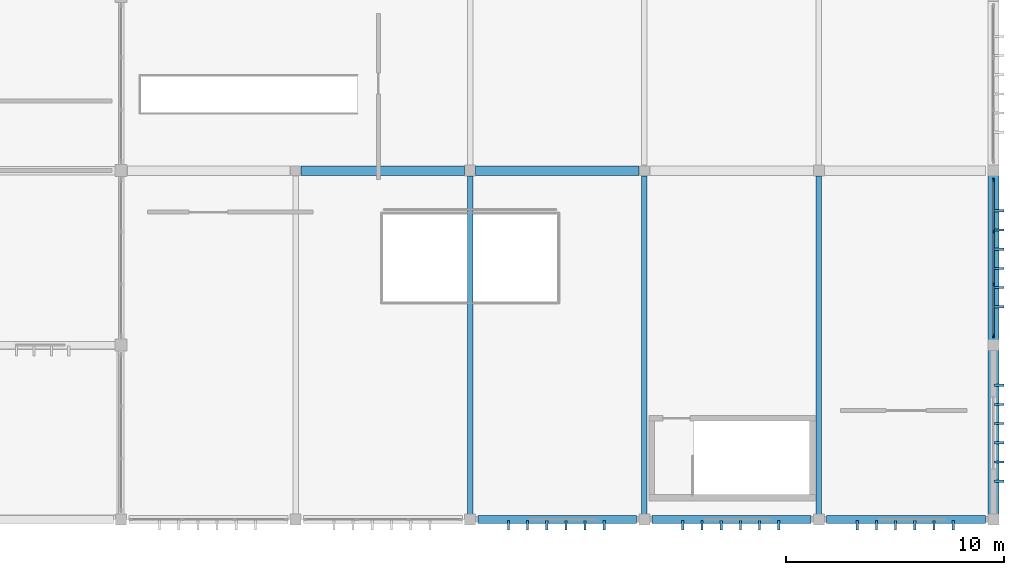
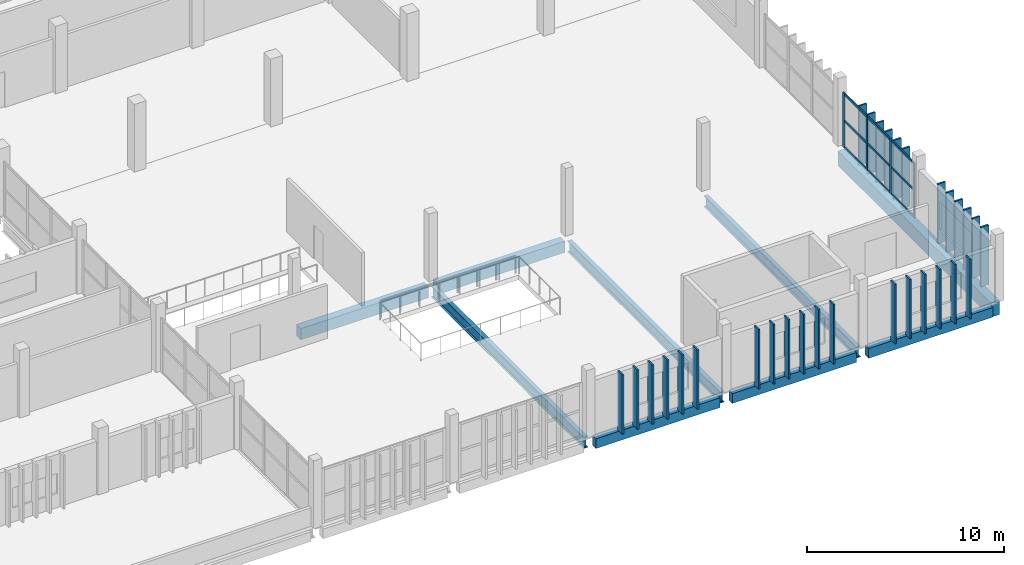
# One storey, part 56 of 137: 43 members, 9 beams, 1 element without a shape of its own.
"""IFC4 building model written with IfcOpenShell, lengths in metres."""

from ifc_helpers import new_model, si_unit, direction, frame, origin, origin_2d, place, context, subcontext, project, spatial, rectangle, i_section, extrude, material, layer, layer_set, material_profile, profile_set, type_object, element, aggregate, save


model = new_model("IFC4")

# Units and contexts
model_context = context("Model", 3, precision=1e-05, world=origin(), true_north=direction((0.0, 1.0)))
body_context = subcontext(model_context, "Body", "Model", "MODEL_VIEW")
ifc_project = project(units=[si_unit("LENGTHUNIT", "METRE"), si_unit("AREAUNIT", "SQUARE_METRE"), si_unit("VOLUMEUNIT", "CUBIC_METRE"), si_unit("PLANEANGLEUNIT", "RADIAN"), si_unit("MASSUNIT", "GRAM", prefix="KILO")], contexts=[model_context])

# Site, building, storey
site_placement = place(None, origin())
site = spatial("IfcSite", under=ifc_project, at=site_placement, CompositionType="ELEMENT")
building_placement = place(site_placement, origin())
building = spatial("IfcBuilding", under=site, at=building_placement, Name="Jelvoka-Kovrelna Polytechnic", CompositionType="ELEMENT")
storey_placement = place(building_placement, frame((0.0, 0.0, 9.60009765625)))
storey = spatial("IfcBuildingStorey", under=building, at=storey_placement, Name="L03", CompositionType="ELEMENT", Elevation=9.60009765625)

# Beams
ifc_material_1 = material(Name="Concrete C40/50", Category="concrete")
ifc_material_profile_1 = material_profile(ifc_material_1, rectangle(XDim=0.449951171875, YDim=0.699951171875, at=origin_2d()), Name="RC 450x700")
ifc_profile_set_1 = profile_set([ifc_material_profile_1], Name="Concrete C40/50")
beam_type_1 = type_object("IfcBeamType", Name="Beam_RC_450x700", PredefinedType="BEAM", material=ifc_profile_set_1)
for number, where, z_axis, x_axis, name in (
    (1, (168.2548828125, 16.0, -0.635009765625), (1.0, 0.0, 0.0), (0.0, 1.0, 0.0), "L03 beam 0222"),
    (2, (176.2548828125, 16.0, -0.635009765625), (1.0, 0.0, 0.0), (0.0, 1.0, 0.0), "L03 beam 0225"),
):
    element("IfcBeam", number, at=place(storey_placement, frame(where, z_axis=z_axis, x_axis=x_axis)), inside=storey, type_object=beam_type_1, Name=name, PredefinedType="BEAM", context=body_context, shape_type="SweptSolid", body=[
        extrude(rectangle(XDim=0.449951171875, YDim=0.699951171875, at=origin_2d()), origin(), (0.0, 0.0, 1.0), 7.490234375),
    ])
ifc_material_2 = material(Name="Concrete C40/50", Category="concrete")
ifc_material_profile_2 = material_profile(ifc_material_2, rectangle(XDim=0.5, YDim=0.89990234375, at=origin_2d()), Name="RC 500x900")
ifc_profile_set_2 = profile_set([ifc_material_profile_2], Name="Concrete C40/50")
beam_type_2 = type_object("IfcBeamType", Name="Beam_RC_500x900", PredefinedType="BEAM", material=ifc_profile_set_2)
beam_placement = place(storey_placement, frame((200.0, 0.22998046875, -0.735107421875), z_axis=(0.0, 1.0, 0.0), x_axis=(-1.0, 0.0, 0.0)))
element("IfcBeam", 3, at=beam_placement, inside=storey, type_object=beam_type_2, Name="L03 beam 0216", PredefinedType="BEAM", context=body_context, shape_type="SweptSolid", body=[
    extrude(rectangle(XDim=0.5, YDim=0.89990234375, at=origin_2d()), origin(), (0.0, 0.0, 1.0), 15.5400390625),
])
ifc_material_3 = material(Name="Structural steel S355JR", Category="steel")
ifc_material_profile_3 = material_profile(ifc_material_3, i_section(OverallWidth=0.2529296875, OverallDepth=0.677978515625, WebThickness=0.01171875, FlangeThickness=0.01611328125, FilletRadius=0.01513671875, at=origin_2d()), Name="686x254x125 UB")
ifc_profile_set_3 = profile_set([ifc_material_profile_3], Name="Structural steel S355JR")
beam_type_3 = type_object("IfcBeamType", Name="Girder_Steel_UB686", PredefinedType="BEAM", material=ifc_profile_set_3)
for number, where, z_axis, x_axis, name in (
    (4, (176.0, 0.22998046875, -0.6240234375), (0.0, 1.0, 0.0), (-1.0, 0.0, 0.0), "L03 beam 0210"),
    (5, (184.0, 0.22998046875, -0.6240234375), (0.0, 1.0, 0.0), (-1.0, 0.0, 0.0), "L03 beam 0212"),
    (6, (192.0, 0.22998046875, -0.6240234375), (0.0, 1.0, 0.0), (-1.0, 0.0, 0.0), "L03 beam 0214"),
):
    element("IfcBeam", number, at=place(storey_placement, frame(where, z_axis=z_axis, x_axis=x_axis)), inside=storey, type_object=beam_type_3, Name=name, PredefinedType="BEAM", context=body_context, shape_type="SweptSolid", body=[
        extrude(i_section(OverallWidth=0.2529296875, OverallDepth=0.677978515625, WebThickness=0.01171875, FlangeThickness=0.01611328125, FilletRadius=0.01513671875, at=origin_2d()), origin(), (0.0, 0.0, 1.0), 15.51513671875),
    ])

# Members
ifc_material_4 = material(Name="Precast concrete C40/50", Category="concrete")
ifc_material_profile_4 = material_profile(ifc_material_4, rectangle(XDim=0.10009765625, YDim=0.449951171875, at=origin_2d()), Name="PC 100x450")
ifc_profile_set_4 = profile_set([ifc_material_profile_4], Name="Precast concrete C40/50")
member_type_1 = type_object("IfcMemberType", Name="Louvre_Fin_100x450", PredefinedType="USERDEFINED", material=ifc_profile_set_4)
for number, where, z_axis, x_axis, name in (
    (7, (177.760009765625, -0.264892578125, -0.2900390625), (0.0, 0.0, 1.0), (1.0, 0.0, 0.0), "L03 V5 south solar louvre fin 2578"),
    (8, (178.639892578125, -0.264892578125, -0.2900390625), (0.0, 0.0, 1.0), (1.0, 0.0, 0.0), "L03 V5 south solar louvre fin 2579"),
    (9, (179.52001953125, -0.264892578125, -0.2900390625), (0.0, 0.0, 1.0), (1.0, 0.0, 0.0), "L03 V5 south solar louvre fin 2580"),
    (10, (180.39990234375, -0.264892578125, -0.2900390625), (0.0, 0.0, 1.0), (1.0, 0.0, 0.0), "L03 V5 south solar louvre fin 2581"),
    (11, (181.280029296875, -0.264892578125, -0.2900390625), (0.0, 0.0, 1.0), (1.0, 0.0, 0.0), "L03 V5 south solar louvre fin 2582"),
    (12, (182.159912109375, -0.264892578125, -0.2900390625), (0.0, 0.0, 1.0), (1.0, 0.0, 0.0), "L03 V5 south solar louvre fin 2583"),
    (13, (185.760009765625, -0.264892578125, -0.2900390625), (0.0, 0.0, 1.0), (1.0, 0.0, 0.0), "L03 V5 south solar louvre fin 2584"),
    (14, (186.639892578125, -0.264892578125, -0.2900390625), (0.0, 0.0, 1.0), (1.0, 0.0, 0.0), "L03 V5 south solar louvre fin 2585"),
    (15, (187.52001953125, -0.264892578125, -0.2900390625), (0.0, 0.0, 1.0), (1.0, 0.0, 0.0), "L03 V5 south solar louvre fin 2586"),
    (16, (188.39990234375, -0.264892578125, -0.2900390625), (0.0, 0.0, 1.0), (1.0, 0.0, 0.0), "L03 V5 south solar louvre fin 2587"),
    (17, (189.280029296875, -0.264892578125, -0.2900390625), (0.0, 0.0, 1.0), (1.0, 0.0, 0.0), "L03 V5 south solar louvre fin 2588"),
    (18, (190.159912109375, -0.264892578125, -0.2900390625), (0.0, 0.0, 1.0), (1.0, 0.0, 0.0), "L03 V5 south solar louvre fin 2589"),
    (19, (193.760009765625, -0.264892578125, -0.2900390625), (0.0, 0.0, 1.0), (1.0, 0.0, 0.0), "L03 V5 south solar louvre fin 2590"),
    (20, (194.639892578125, -0.264892578125, -0.2900390625), (0.0, 0.0, 1.0), (1.0, 0.0, 0.0), "L03 V5 south solar louvre fin 2591"),
    (21, (195.52001953125, -0.264892578125, -0.2900390625), (0.0, 0.0, 1.0), (1.0, 0.0, 0.0), "L03 V5 south solar louvre fin 2592"),
    (22, (196.39990234375, -0.264892578125, -0.2900390625), (0.0, 0.0, 1.0), (1.0, 0.0, 0.0), "L03 V5 south solar louvre fin 2593"),
    (23, (197.280029296875, -0.264892578125, -0.2900390625), (0.0, 0.0, 1.0), (1.0, 0.0, 0.0), "L03 V5 south solar louvre fin 2594"),
    (24, (198.159912109375, -0.264892578125, -0.2900390625), (0.0, 0.0, 1.0), (1.0, 0.0, 0.0), "L03 V5 south solar louvre fin 2595"),
    (25, (200.264892578125, 1.760009765625, -0.2900390625), (0.0, 0.0, 1.0), (0.0, 1.0, 0.0), "L03 V5 east solar louvre fin 2596"),
    (26, (200.264892578125, 2.639892578125, -0.2900390625), (0.0, 0.0, 1.0), (0.0, 1.0, 0.0), "L03 V5 east solar louvre fin 2597"),
    (27, (200.264892578125, 3.52001953125, -0.2900390625), (0.0, 0.0, 1.0), (0.0, 1.0, 0.0), "L03 V5 east solar louvre fin 2598"),
    (28, (200.264892578125, 4.39990234375, -0.2900390625), (0.0, 0.0, 1.0), (0.0, 1.0, 0.0), "L03 V5 east solar louvre fin 2599"),
    (29, (200.264892578125, 5.280029296875, -0.2900390625), (0.0, 0.0, 1.0), (0.0, 1.0, 0.0), "L03 V5 east solar louvre fin 2600"),
    (30, (200.264892578125, 6.159912109375, -0.2900390625), (0.0, 0.0, 1.0), (0.0, 1.0, 0.0), "L03 V5 east solar louvre fin 2601"),
    (31, (200.264892578125, 9.760009765625, -0.2900390625), (0.0, 0.0, 1.0), (0.0, 1.0, 0.0), "L03 V5 east solar louvre fin 2602"),
    (32, (200.264892578125, 10.639892578125, -0.2900390625), (0.0, 0.0, 1.0), (0.0, 1.0, 0.0), "L03 V5 east solar louvre fin 2603"),
    (33, (200.264892578125, 11.52001953125, -0.2900390625), (0.0, 0.0, 1.0), (0.0, 1.0, 0.0), "L03 V5 east solar louvre fin 2604"),
    (34, (200.264892578125, 12.39990234375, -0.2900390625), (0.0, 0.0, 1.0), (0.0, 1.0, 0.0), "L03 V5 east solar louvre fin 2605"),
    (35, (200.264892578125, 13.280029296875, -0.2900390625), (0.0, 0.0, 1.0), (0.0, 1.0, 0.0), "L03 V5 east solar louvre fin 2606"),
    (36, (200.264892578125, 14.159912109375, -0.2900390625), (0.0, 0.0, 1.0), (0.0, 1.0, 0.0), "L03 V5 east solar louvre fin 2607"),
):
    element("IfcMember", number, at=place(storey_placement, frame(where, z_axis=z_axis, x_axis=x_axis)), inside=storey, type_object=member_type_1, Name=name, ObjectType="SUNSHADE", PredefinedType="USERDEFINED", context=body_context, shape_type="SweptSolid", body=[
        extrude(rectangle(XDim=0.10009765625, YDim=0.449951171875, at=origin_2d()), origin(), (0.0, 0.0, 1.0), 3.68994140625),
    ])

# Curtain wall, members
ifc_material_5 = material(Name="Anodised aluminium 6063-T6", Category="aluminium")
ifc_layer = layer(ifc_material_5, 0.179931640625)
ifc_layer_set = layer_set([ifc_layer], Name="Anodised aluminium 6063-T6")
curtain_wall_type = type_object("IfcCurtainWallType", Name="CW_Pavilion", PredefinedType="NOTDEFINED", material=ifc_layer_set)
curtain_wall_placement = place(storey_placement, origin())
curtain_wall = element("IfcCurtainWall", 37, at=curtain_wall_placement, inside=storey, type_object=curtain_wall_type, Name="L03 glazed curtain wall 292", PredefinedType="NOTDEFINED")
ifc_material_6 = material(Name="Anodised aluminium 6063-T6", Category="aluminium")
ifc_material_profile_5 = material_profile(ifc_material_6, rectangle(XDim=0.06494140625, YDim=0.179931640625, at=origin_2d()), Name="ALU 65x180")
ifc_profile_set_5 = profile_set([ifc_material_profile_5], Name="Anodised aluminium 6063-T6")
member_type_2 = type_object("IfcMemberType", Name="Mullion_M-05", PredefinedType="MULLION", material=ifc_profile_set_5)
member_1_placement = place(storey_placement, frame((200.0, 15.5673828125, -0.02490234375), z_axis=(0.0, 0.0, 1.0), x_axis=(1.0, 0.0, 0.0)))
member_1 = element("IfcMember", 38, at=member_1_placement, type_object=member_type_2, Name="CW-05 mullion 1", PredefinedType="MULLION", context=body_context, shape_type="SweptSolid", body=[
    extrude(rectangle(XDim=0.06494140625, YDim=0.179931640625, at=origin_2d()), origin(), (0.0, 0.0, 1.0), 3.39990234375),
])
member_2_placement = place(storey_placement, frame((200.0, 13.199951171875, -0.02490234375), z_axis=(0.0, 0.0, 1.0), x_axis=(1.0, 0.0, 0.0)))
member_2 = element("IfcMember", 39, at=member_2_placement, type_object=member_type_2, Name="CW-05 mullion 2", PredefinedType="MULLION", context=body_context, shape_type="SweptSolid", body=[
    extrude(rectangle(XDim=0.06494140625, YDim=0.179931640625, at=origin_2d()), origin(), (0.0, 0.0, 1.0), 3.39990234375),
])
member_3_placement = place(storey_placement, frame((200.0, 10.800048828125, -0.02490234375), z_axis=(0.0, 0.0, 1.0), x_axis=(1.0, 0.0, 0.0)))
member_3 = element("IfcMember", 40, at=member_3_placement, type_object=member_type_2, Name="CW-05 mullion 3", PredefinedType="MULLION", context=body_context, shape_type="SweptSolid", body=[
    extrude(rectangle(XDim=0.06494140625, YDim=0.179931640625, at=origin_2d()), origin(), (0.0, 0.0, 1.0), 3.39990234375),
])
member_4_placement = place(storey_placement, frame((200.0, 8.4326171875, -0.02490234375), z_axis=(0.0, 0.0, 1.0), x_axis=(1.0, 0.0, 0.0)))
member_4 = element("IfcMember", 41, at=member_4_placement, type_object=member_type_2, Name="CW-05 mullion 4", PredefinedType="MULLION", context=body_context, shape_type="SweptSolid", body=[
    extrude(rectangle(XDim=0.06494140625, YDim=0.179931640625, at=origin_2d()), origin(), (0.0, 0.0, 1.0), 3.39990234375),
])

# Beams
ifc_material_7 = material(Name="Concrete C40/50", Category="concrete")
ifc_material_profile_6 = material_profile(ifc_material_7, rectangle(XDim=0.35009765625, YDim=0.60009765625, at=origin_2d()), Name="RC 350x600")
ifc_profile_set_6 = profile_set([ifc_material_profile_6], Name="Concrete C40/50")
beam_type_4 = type_object("IfcBeamType", Name="Spandrel_RC_350x600", PredefinedType="SPANDREL", material=ifc_profile_set_6)
for number, where, z_axis, x_axis, name in (
    (42, (176.35498046875, 0.0, -0.585205078125), (1.0, 0.0, 0.0), (0.0, 1.0, 0.0), "L03 beam 0224"),
    (43, (184.35498046875, 0.0, -0.585205078125), (1.0, 0.0, 0.0), (0.0, 1.0, 0.0), "L03 beam 0227"),
    (44, (192.35498046875, 0.0, -0.585205078125), (1.0, 0.0, 0.0), (0.0, 1.0, 0.0), "L03 beam 0230"),
):
    element("IfcBeam", number, at=place(storey_placement, frame(where, z_axis=z_axis, x_axis=x_axis)), inside=storey, type_object=beam_type_4, Name=name, PredefinedType="SPANDREL", context=body_context, shape_type="SweptSolid", body=[
        extrude(rectangle(XDim=0.35009765625, YDim=0.60009765625, at=origin_2d()), origin(), (0.0, 0.0, 1.0), 7.2900390625),
    ])

# Member
ifc_material_8 = material(Name="Anodised aluminium 6063-T6", Category="aluminium")
ifc_material_profile_7 = material_profile(ifc_material_8, rectangle(XDim=0.06494140625, YDim=0.135009765625, at=origin_2d()), Name="ALU 65x135")
ifc_profile_set_7 = profile_set([ifc_material_profile_7], Name="Anodised aluminium 6063-T6")
member_type_3 = type_object("IfcMemberType", Name="Transom_T-05", PredefinedType="USERDEFINED", material=ifc_profile_set_7)
member_5_placement = place(storey_placement, frame((200.0, 15.534912109375, 0.032470703125), z_axis=(0.0, -1.0, 0.0), x_axis=(1.0, 0.0, 0.0)))
member_5 = element("IfcMember", 45, at=member_5_placement, type_object=member_type_3, Name="CW-05 transom 1.1", ObjectType="TRANSOM", PredefinedType="USERDEFINED", context=body_context, shape_type="SweptSolid", body=[
    extrude(rectangle(XDim=0.06494140625, YDim=0.135009765625, at=origin_2d()), origin(), (0.0, 0.0, 1.0), 2.302490234375),
])

member_6_placement = place(storey_placement, frame((200.0, 15.534912109375, 1.6748046875), z_axis=(0.0, -1.0, 0.0), x_axis=(1.0, 0.0, 0.0)))
member_6 = element("IfcMember", 46, at=member_6_placement, type_object=member_type_3, Name="CW-05 transom 1.2", ObjectType="TRANSOM", PredefinedType="USERDEFINED", context=body_context, shape_type="SweptSolid", body=[
    extrude(rectangle(XDim=0.06494140625, YDim=0.135009765625, at=origin_2d()), origin(), (0.0, 0.0, 1.0), 2.302490234375),
])

member_7_placement = place(storey_placement, frame((200.0, 15.534912109375, 3.3173828125), z_axis=(0.0, -1.0, 0.0), x_axis=(1.0, 0.0, 0.0)))
member_7 = element("IfcMember", 47, at=member_7_placement, type_object=member_type_3, Name="CW-05 transom 1.3", ObjectType="TRANSOM", PredefinedType="USERDEFINED", context=body_context, shape_type="SweptSolid", body=[
    extrude(rectangle(XDim=0.06494140625, YDim=0.135009765625, at=origin_2d()), origin(), (0.0, 0.0, 1.0), 2.302490234375),
])

member_8_placement = place(storey_placement, frame((200.0, 13.16748046875, 0.032470703125), z_axis=(0.0, -1.0, 0.0), x_axis=(1.0, 0.0, 0.0)))
member_8 = element("IfcMember", 48, at=member_8_placement, type_object=member_type_3, Name="CW-05 transom 2.1", ObjectType="TRANSOM", PredefinedType="USERDEFINED", context=body_context, shape_type="SweptSolid", body=[
    extrude(rectangle(XDim=0.06494140625, YDim=0.135009765625, at=origin_2d()), origin(), (0.0, 0.0, 1.0), 2.3349609375),
])

member_9_placement = place(storey_placement, frame((200.0, 13.16748046875, 1.6748046875), z_axis=(0.0, -1.0, 0.0), x_axis=(1.0, 0.0, 0.0)))
member_9 = element("IfcMember", 49, at=member_9_placement, type_object=member_type_3, Name="CW-05 transom 2.2", ObjectType="TRANSOM", PredefinedType="USERDEFINED", context=body_context, shape_type="SweptSolid", body=[
    extrude(rectangle(XDim=0.06494140625, YDim=0.135009765625, at=origin_2d()), origin(), (0.0, 0.0, 1.0), 2.3349609375),
])

member_10_placement = place(storey_placement, frame((200.0, 13.16748046875, 3.3173828125), z_axis=(0.0, -1.0, 0.0), x_axis=(1.0, 0.0, 0.0)))
member_10 = element("IfcMember", 50, at=member_10_placement, type_object=member_type_3, Name="CW-05 transom 2.3", ObjectType="TRANSOM", PredefinedType="USERDEFINED", context=body_context, shape_type="SweptSolid", body=[
    extrude(rectangle(XDim=0.06494140625, YDim=0.135009765625, at=origin_2d()), origin(), (0.0, 0.0, 1.0), 2.3349609375),
])

member_11_placement = place(storey_placement, frame((200.0, 10.767578125, 0.032470703125), z_axis=(0.0, -1.0, 0.0), x_axis=(1.0, 0.0, 0.0)))
member_11 = element("IfcMember", 51, at=member_11_placement, type_object=member_type_3, Name="CW-05 transom 3.1", ObjectType="TRANSOM", PredefinedType="USERDEFINED", context=body_context, shape_type="SweptSolid", body=[
    extrude(rectangle(XDim=0.06494140625, YDim=0.135009765625, at=origin_2d()), origin(), (0.0, 0.0, 1.0), 2.302490234375),
])

member_12_placement = place(storey_placement, frame((200.0, 10.767578125, 1.6748046875), z_axis=(0.0, -1.0, 0.0), x_axis=(1.0, 0.0, 0.0)))
member_12 = element("IfcMember", 52, at=member_12_placement, type_object=member_type_3, Name="CW-05 transom 3.2", ObjectType="TRANSOM", PredefinedType="USERDEFINED", context=body_context, shape_type="SweptSolid", body=[
    extrude(rectangle(XDim=0.06494140625, YDim=0.135009765625, at=origin_2d()), origin(), (0.0, 0.0, 1.0), 2.302490234375),
])

member_13_placement = place(storey_placement, frame((200.0, 10.767578125, 3.3173828125), z_axis=(0.0, -1.0, 0.0), x_axis=(1.0, 0.0, 0.0)))
member_13 = element("IfcMember", 53, at=member_13_placement, type_object=member_type_3, Name="CW-05 transom 3.3", ObjectType="TRANSOM", PredefinedType="USERDEFINED", context=body_context, shape_type="SweptSolid", body=[
    extrude(rectangle(XDim=0.06494140625, YDim=0.135009765625, at=origin_2d()), origin(), (0.0, 0.0, 1.0), 2.302490234375),
])

aggregate(curtain_wall, [member_1, member_2, member_3, member_4, member_5, member_6, member_7, member_8, member_9, member_10, member_11, member_12, member_13])

save(model, "model.ifc")
